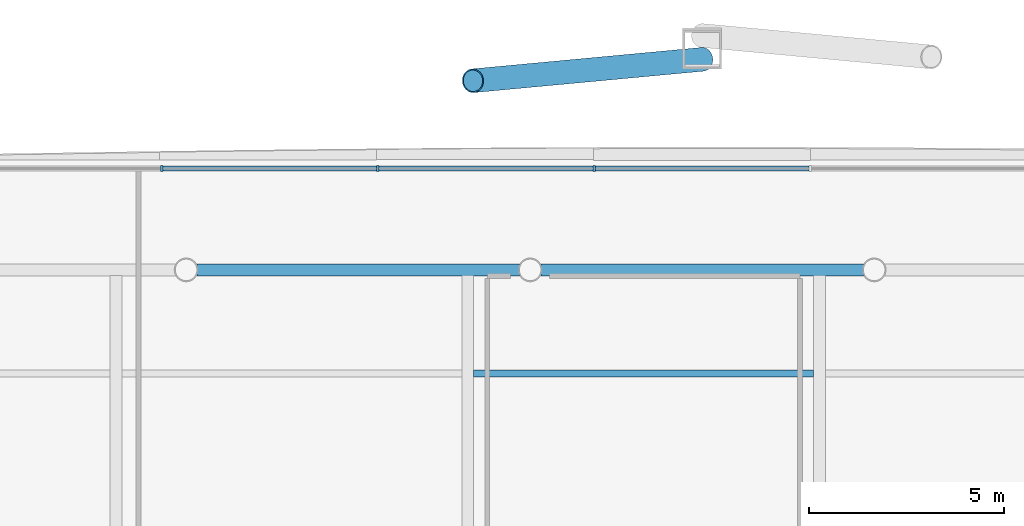
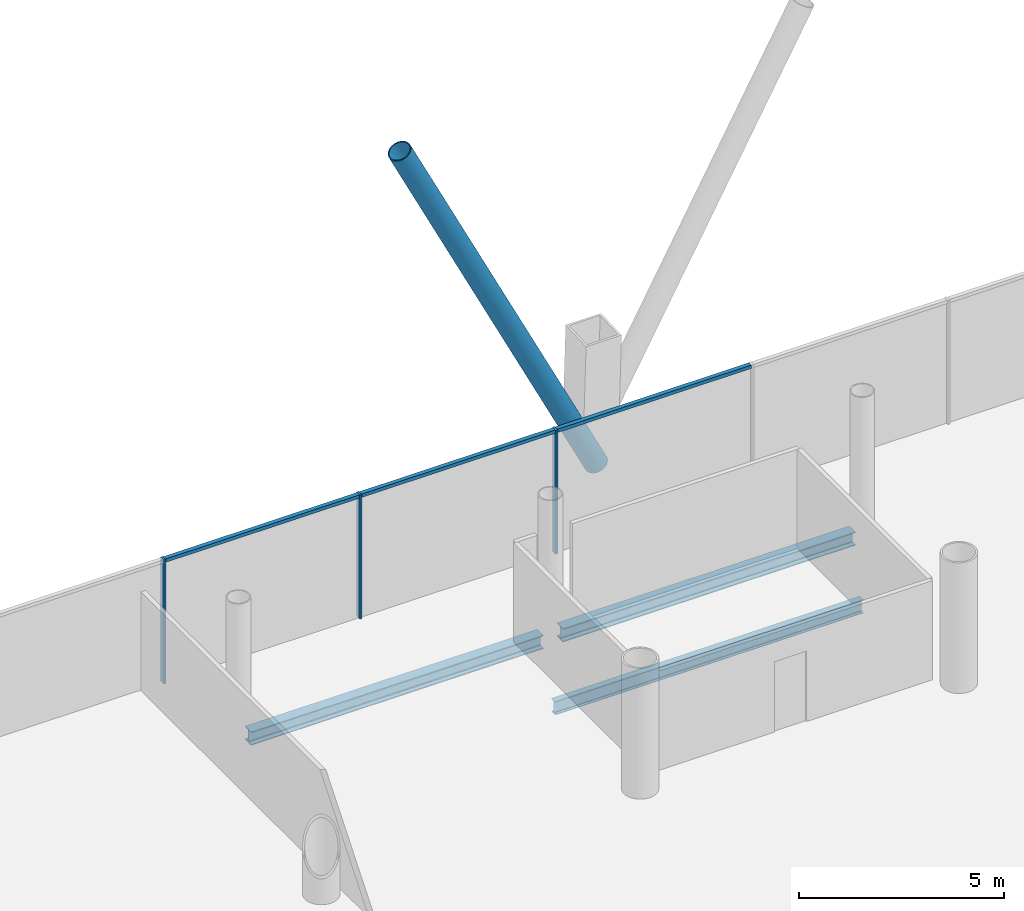
# One storey, part 12 of 25: 7 members, 3 beams, 1 element without a shape of its own.
"""IFC4 building model written with IfcOpenShell, lengths in metres."""

import ifcopenshell
import ifcopenshell.guid

model = None  # the IFC model being written
_history = None  # IfcOwnerHistory: only IFC2X3 demands one
_inside = {}  # id of a spatial element -> (the spatial element, [elements in it])
_under = {}  # id of a project, library or spatial element -> (it, [spatial elements below it])
_declared = {}  # id of a project -> (the project, [libraries it declares])
_typed = {}  # id of a type object -> (the type object, [elements of that type])
_made_of = {}  # id of a material, layer set ... -> (it, [elements and type objects made of it])


def new_model(schema):
    """Start an empty IFC model of exactly this schema.

    Asked for "IFC4X3", IfcOpenShell would pick the latest addendum, in which some entities
    have other attributes; the version numbers below select the first issue.
    IFC2X3 requires an IfcOwnerHistory on every rooted entity: one is made here for all.
    """
    global model, _history
    if schema == "IFC4X3":
        model = ifcopenshell.file(schema_version=(4, 3, 0, 0))
    else:
        model = ifcopenshell.file(schema=schema)
    _inside.clear()
    _under.clear()
    _declared.clear()
    _typed.clear()
    _made_of.clear()
    _history = None
    if model.schema == "IFC2X3":
        org = make("IfcOrganization", Name="unknown")
        user = make(
            "IfcPersonAndOrganization",
            ThePerson=make("IfcPerson", FamilyName="unknown"),
            TheOrganization=org,
        )
        app = make(
            "IfcApplication",
            ApplicationDeveloper=org,
            Version="unknown",
            ApplicationFullName="unknown",
            ApplicationIdentifier="unknown",
        )
        _history = make(
            "IfcOwnerHistory",
            OwningUser=user,
            OwningApplication=app,
            ChangeAction="ADDED",
            CreationDate=0,
        )
    return model


def make(cls, **values):
    """One entity of the class cls with the attributes given. An attribute that is None is left unset."""
    return model.create_entity(
        cls, **{name: value for name, value in values.items() if value is not None}
    )


def rooted(cls, **values):
    """An entity with a GlobalId (a new one), such as an element, a storey or a relation."""
    return make(cls, GlobalId=ifcopenshell.guid.new(), OwnerHistory=_history, **values)


def si_unit(unit_type, name, prefix=None):
    """IfcSIUnit, for example si_unit("LENGTHUNIT", "METRE", prefix="MILLI")."""
    return make("IfcSIUnit", UnitType=unit_type, Prefix=prefix, Name=name)


def assignment(units):
    """IfcUnitAssignment: the units of a project."""
    return None if units is None else make("IfcUnitAssignment", Units=units)


def point(xyz):
    """IfcCartesianPoint."""
    return None if xyz is None else make("IfcCartesianPoint", Coordinates=xyz)


def direction(xyz):
    """IfcDirection."""
    return None if xyz is None else make("IfcDirection", DirectionRatios=xyz)


def frame(location, z_axis=None, x_axis=None):
    """IfcAxis2Placement3D, a coordinate frame: its origin and axes. An axis left out is left unset."""
    return make(
        "IfcAxis2Placement3D",
        Location=point(location),
        Axis=direction(z_axis),
        RefDirection=direction(x_axis),
    )


def frame_2d(location, x_axis=None):
    """IfcAxis2Placement2D, a coordinate frame in the plane: its origin and x axis."""
    return make(
        "IfcAxis2Placement2D", Location=point(location), RefDirection=direction(x_axis)
    )


def origin():
    """The frame at (0, 0, 0) with its axes left unset."""
    return frame((0.0, 0.0, 0.0))


def origin_2d():
    """The frame at (0, 0) in the plane with its x axis left unset."""
    return frame_2d((0.0, 0.0))


def place(relative_to, where):
    """IfcLocalPlacement: puts the frame where relative to a parent placement (None: the world)."""
    return make(
        "IfcLocalPlacement", PlacementRelTo=relative_to, RelativePlacement=where
    )


def context(
    kind, dimensions, precision=None, world=None, true_north=None, identifier=None
):
    """IfcGeometricRepresentationContext, for example the 3D "Model" context."""
    return make(
        "IfcGeometricRepresentationContext",
        ContextIdentifier=identifier,
        ContextType=kind,
        CoordinateSpaceDimension=dimensions,
        Precision=precision,
        WorldCoordinateSystem=world,
        TrueNorth=true_north,
    )


def subcontext(parent, identifier, kind, view, scale=None):
    """IfcGeometricRepresentationSubContext, for example "Body" below "Model"."""
    return make(
        "IfcGeometricRepresentationSubContext",
        ContextIdentifier=identifier,
        ContextType=kind,
        ParentContext=parent,
        TargetScale=scale,
        TargetView=view,
    )


def project(units=None, contexts=None):
    """IfcProject with its units and contexts."""
    return rooted(
        "IfcProject",
        Name="project",
        RepresentationContexts=contexts,
        UnitsInContext=assignment(units),
    )


def spatial(cls, under=None, at=None, **own):
    """A site, building, storey or space (cls), placed at a placement, below another one or the project."""
    s = rooted(cls, ObjectPlacement=at, **own)
    if under is not None:
        _under.setdefault(under.id(), (under, []))[1].append(s)
    return s


def profile(cls, at=None, kind="AREA", **sizes):
    """A parametric profile (cls). Its sizes go by their IFC names, for example OverallWidth=200.0."""
    return make(cls, ProfileType=kind, Position=at, **sizes)


def rectangle(**sizes):
    """IfcRectangleProfileDef."""
    return profile("IfcRectangleProfileDef", **sizes)


def hollow_circle(**sizes):
    """IfcCircleHollowProfileDef."""
    return profile("IfcCircleHollowProfileDef", **sizes)


def i_section(**sizes):
    """IfcIShapeProfileDef."""
    return profile("IfcIShapeProfileDef", **sizes)


def extrude(swept, where, along, depth):
    """IfcExtrudedAreaSolid: the profile swept, set in the frame where, extruded along a direction by depth."""
    return make(
        "IfcExtrudedAreaSolid",
        SweptArea=swept,
        Position=where,
        ExtrudedDirection=direction(along),
        Depth=depth,
    )


def shape(context_of_items, identifier, shape_type, items):
    """IfcShapeRepresentation: the items that make up one representation, for example the "Body"."""
    return make(
        "IfcShapeRepresentation",
        ContextOfItems=context_of_items,
        RepresentationIdentifier=identifier,
        RepresentationType=shape_type,
        Items=items,
    )


def material(Name=None, Category=None):
    """IfcMaterial."""
    return make("IfcMaterial", Name=Name, Category=Category)


def material_profile(
    of_material, cross_section, Name=None, Category=None, Priority=None
):
    """IfcMaterialProfile: a cross section and its material."""
    return make(
        "IfcMaterialProfile",
        Name=Name,
        Material=of_material,
        Profile=cross_section,
        Priority=Priority,
        Category=Category,
    )


def profile_set(profiles, Name=None, composite=None):
    """IfcMaterialProfileSet."""
    return make(
        "IfcMaterialProfileSet",
        Name=Name,
        MaterialProfiles=profiles,
        CompositeProfile=composite,
    )


def made_of(thing, what):
    """Note that an element or type object is made of a material, layer set ...; save() writes the relation."""
    if what is not None:
        _made_of.setdefault(what.id(), (what, []))[1].append(thing)
    return thing


def type_object(cls, material=None, **own):
    """A type object (cls), such as IfcWallType, which elements share."""
    return made_of(rooted(cls, **own), material)


def element(
    cls,
    number,
    at=None,
    inside=None,
    cuts=None,
    type_object=None,
    material=None,
    context=None,
    identifier="Body",
    shape_type=None,
    held_by="IfcProductDefinitionShape",
    body=None,
    shapes=None,
    **own,
):
    """One element of the class cls, such as IfcWall. Its Tag is "e" and its number.

    at: its placement. inside: the storey or other place that contains it. cuts: it is an
    opening in that element (IfcRelVoidsElement). A single representation is given by context,
    identifier, shape_type and body (its items); several are given by shapes. held_by: the class
    of the entity that holds the representations. save() writes the other relations.
    """
    e = rooted(cls, Tag="e%d" % number, ObjectPlacement=at, **own)
    if body is not None:
        shapes = [shape(context, identifier, shape_type, body)]
    if shapes is not None:
        e.Representation = make(held_by, Representations=shapes)
    if inside is not None:
        _inside.setdefault(inside.id(), (inside, []))[1].append(e)
    if cuts is not None:
        rooted(
            "IfcRelVoidsElement", RelatingBuildingElement=cuts, RelatedOpeningElement=e
        )
    if type_object is not None:
        _typed.setdefault(type_object.id(), (type_object, []))[1].append(e)
    return made_of(e, material)


def aggregate(whole, parts):
    """IfcRelAggregates: a whole, such as a stair, and the parts it consists of."""
    return rooted("IfcRelAggregates", RelatingObject=whole, RelatedObjects=parts)


def save(model, path):
    """Write the relations noted so far, then the file.

    IfcRelAggregates (storeys below a building ...), IfcRelContainedInSpatialStructure (elements
    in a storey), IfcRelDefinesByType, IfcRelAssociatesMaterial and IfcRelDeclares: one each for
    every whole, place, type object, material and project.
    """
    for whole, parts in _under.values():
        aggregate(whole, parts)
    for where, things in _inside.values():
        rooted(
            "IfcRelContainedInSpatialStructure",
            RelatedElements=things,
            RelatingStructure=where,
        )
    for kind, things in _typed.values():
        rooted("IfcRelDefinesByType", RelatedObjects=things, RelatingType=kind)
    for what, things in _made_of.values():
        rooted("IfcRelAssociatesMaterial", RelatedObjects=things, RelatingMaterial=what)
    for by, libraries in _declared.values():
        rooted("IfcRelDeclares", RelatingContext=by, RelatedDefinitions=libraries)
    model.write(path)


model = new_model("IFC4")

# Units and contexts
model_context = context("Model", 3, precision=1e-05, world=origin(), true_north=direction((0.0, 1.0)))
body_context = subcontext(model_context, "Body", "Model", "MODEL_VIEW")
ifc_project = project(units=[si_unit("LENGTHUNIT", "METRE"), si_unit("AREAUNIT", "SQUARE_METRE"), si_unit("VOLUMEUNIT", "CUBIC_METRE"), si_unit("PLANEANGLEUNIT", "RADIAN"), si_unit("MASSUNIT", "GRAM", prefix="KILO")], contexts=[model_context])

# Site, building, storey
site_placement = place(None, origin())
site = spatial("IfcSite", under=ifc_project, at=site_placement, CompositionType="ELEMENT")
building_placement = place(site_placement, origin())
building = spatial("IfcBuilding", under=site, at=building_placement, Name="Tskaro Facet Tower", CompositionType="ELEMENT")
storey_placement = place(building_placement, frame((0.0, 0.0, 10.800048828125)))
storey = spatial("IfcBuildingStorey", under=building, at=storey_placement, Name="L01", CompositionType="ELEMENT", Elevation=10.800048828125)

# Member
ifc_material_1 = material(Name="Steel S355J2H", Category="steel")
ifc_material_profile_1 = material_profile(ifc_material_1, hollow_circle(Radius=0.304931640625, WallThickness=0.030029296875, at=origin_2d()), Name="CHS 610x30")
ifc_profile_set_1 = profile_set([ifc_material_profile_1], Name="Steel S355J2H")
member_type_1 = type_object("IfcMemberType", Name="CHS 610x30 brace", PredefinedType="BRACE", material=ifc_profile_set_1)
member_1_placement = place(storey_placement, frame((-3.0, 30.544921875, 0.0), z_axis=(-0.44778409282, -0.041803867485, 0.893163950728), x_axis=(0.092953006112, -0.995670497029, 0.0)))
element("IfcMember", 1, at=member_1_placement, inside=storey, type_object=member_type_1, Name="CHS 610x30 XB08A/1", PredefinedType="BRACE", context=body_context, shape_type="SweptSolid", body=[
    extrude(hollow_circle(Radius=0.304931640625, WallThickness=0.030029296875, at=origin_2d()), origin(), (0.0, 0.0, 1.0), 13.099365234375),
])

# Curtain wall, members
ifc_material_2 = material(Name="Bronze anodised aluminium 6063-T6", Category="aluminium")
curtain_wall_type = type_object("IfcCurtainWallType", Name="Bronze office curtain wall (FW1)", PredefinedType="NOTDEFINED", material=ifc_material_2)
curtain_wall_placement = place(storey_placement, origin())
curtain_wall = element("IfcCurtainWall", 2, at=curtain_wall_placement, inside=storey, type_object=curtain_wall_type, Name="FW1 north facet L01", PredefinedType="NOTDEFINED")
ifc_material_profile_2 = material_profile(ifc_material_2, rectangle(XDim=0.06005859375, YDim=0.159912109375, at=origin_2d()), Name="Mullion 60x160")
ifc_profile_set_2 = profile_set([ifc_material_profile_2], Name="Bronze anodised aluminium 6063-T6")
member_type_2 = type_object("IfcMemberType", Name="FW1 bronze mullion 60x160", PredefinedType="MULLION", material=ifc_profile_set_2)
member_2_placement = place(storey_placement, frame((-5.76611328125, 27.75, 0.0), z_axis=(0.0, 0.0, 1.0), x_axis=(-1.0, 0.0, 0.0)))
member_2 = element("IfcMember", 3, at=member_2_placement, type_object=member_type_2, Name="FW1 north mullion 5", PredefinedType="MULLION", context=body_context, shape_type="SweptSolid", body=[
    extrude(rectangle(XDim=0.06005859375, YDim=0.159912109375, at=origin_2d()), origin(), (0.0, 0.0, 1.0), 3.699951171875),
])
member_3_placement = place(storey_placement, frame((-11.298583984375, 27.75, 0.0), z_axis=(0.0, 0.0, 1.0), x_axis=(-1.0, 0.0, 0.0)))
member_3 = element("IfcMember", 4, at=member_3_placement, type_object=member_type_2, Name="FW1 north mullion 6", PredefinedType="MULLION", context=body_context, shape_type="SweptSolid", body=[
    extrude(rectangle(XDim=0.06005859375, YDim=0.159912109375, at=origin_2d()), origin(), (0.0, 0.0, 1.0), 3.699951171875),
])
member_4_placement = place(storey_placement, frame((-16.8310546875, 27.75, 0.0), z_axis=(0.0, 0.0, 1.0), x_axis=(-1.0, 0.0, 0.0)))
member_4 = element("IfcMember", 5, at=member_4_placement, type_object=member_type_2, Name="FW1 north mullion 7", PredefinedType="MULLION", context=body_context, shape_type="SweptSolid", body=[
    extrude(rectangle(XDim=0.06005859375, YDim=0.159912109375, at=origin_2d()), origin(), (0.0, 0.0, 1.0), 3.699951171875),
])
ifc_material_profile_3 = material_profile(ifc_material_2, rectangle(XDim=0.1201171875, YDim=0.10009765625, at=origin_2d()), Name="Transom 120x100")
ifc_profile_set_3 = profile_set([ifc_material_profile_3], Name="Bronze anodised aluminium 6063-T6")
member_type_3 = type_object("IfcMemberType", Name="FW1 bronze transom 120x100", PredefinedType="USERDEFINED", material=ifc_profile_set_3)
member_5_placement = place(storey_placement, frame((-0.263671875, 27.75, 3.64990234375), z_axis=(-1.0, 0.0, 0.0), x_axis=(0.0, -1.0, 0.0)))
member_5 = element("IfcMember", 6, at=member_5_placement, type_object=member_type_3, Name="FW1 north transom 5.1", ObjectType="TRANSOM", PredefinedType="USERDEFINED", context=body_context, shape_type="SweptSolid", body=[
    extrude(rectangle(XDim=0.1201171875, YDim=0.10009765625, at=origin_2d()), origin(), (0.0, 0.0, 1.0), 5.47265625),
])
member_6_placement = place(storey_placement, frame((-5.796142578125, 27.75, 3.64990234375), z_axis=(-1.0, 0.0, 0.0), x_axis=(0.0, -1.0, 0.0)))
member_6 = element("IfcMember", 7, at=member_6_placement, type_object=member_type_3, Name="FW1 north transom 6.1", ObjectType="TRANSOM", PredefinedType="USERDEFINED", context=body_context, shape_type="SweptSolid", body=[
    extrude(rectangle(XDim=0.1201171875, YDim=0.10009765625, at=origin_2d()), origin(), (0.0, 0.0, 1.0), 5.472412109375),
])
member_7_placement = place(storey_placement, frame((-11.32861328125, 27.75, 3.64990234375), z_axis=(-1.0, 0.0, 0.0), x_axis=(0.0, -1.0, 0.0)))
member_7 = element("IfcMember", 8, at=member_7_placement, type_object=member_type_3, Name="FW1 north transom 7.1", ObjectType="TRANSOM", PredefinedType="USERDEFINED", context=body_context, shape_type="SweptSolid", body=[
    extrude(rectangle(XDim=0.1201171875, YDim=0.10009765625, at=origin_2d()), origin(), (0.0, 0.0, 1.0), 5.472412109375),
])
aggregate(curtain_wall, [member_2, member_3, member_4, member_5, member_6, member_7])

# Beams
ifc_material_3 = material(Name="Steel S355J2", Category="steel")
ifc_material_profile_4 = material_profile(ifc_material_3, i_section(OverallWidth=0.300048828125, OverallDepth=0.39990234375, WebThickness=0.013427734375, FlangeThickness=0.02392578125, FilletRadius=0.027099609375, at=origin_2d()), Name="HE 400 B")
ifc_profile_set_4 = profile_set([ifc_material_profile_4], Name="Steel S355J2")
beam_type_1 = type_object("IfcBeamType", Name="HE 400 B ring beam", PredefinedType="BEAM", material=ifc_profile_set_4)
beam_1_placement = place(storey_placement, frame((1.126953125, 25.156982421875, -0.340087890625), z_axis=(-1.0, 0.0, 0.0), x_axis=(0.0, -1.0, 0.0)))
element("IfcBeam", 9, at=beam_1_placement, inside=storey, type_object=beam_type_1, Name="HE 400 B EB16-1", PredefinedType="BEAM", context=body_context, shape_type="SweptSolid", body=[
    extrude(i_section(OverallWidth=0.300048828125, OverallDepth=0.39990234375, WebThickness=0.013427734375, FlangeThickness=0.02392578125, FilletRadius=0.027099609375, at=origin_2d()), origin(), (0.0, 0.0, 1.0), 8.25390625),
])
beam_2_placement = place(storey_placement, frame((-7.677001953125, 25.156982421875, -0.340087890625), z_axis=(-1.0, 0.0, 0.0), x_axis=(0.0, -1.0, 0.0)))
element("IfcBeam", 10, at=beam_2_placement, inside=storey, type_object=beam_type_1, Name="HE 400 B EB17-1", PredefinedType="BEAM", context=body_context, shape_type="SweptSolid", body=[
    extrude(i_section(OverallWidth=0.300048828125, OverallDepth=0.39990234375, WebThickness=0.013427734375, FlangeThickness=0.02392578125, FilletRadius=0.027099609375, at=origin_2d()), origin(), (0.0, 0.0, 1.0), 8.2548828125),
])
ifc_material_profile_5 = material_profile(ifc_material_3, i_section(OverallWidth=0.179931640625, OverallDepth=0.39990234375, WebThickness=0.008544921875, FlangeThickness=0.013427734375, FilletRadius=0.02099609375, at=origin_2d()), Name="IPE 400")
ifc_profile_set_5 = profile_set([ifc_material_profile_5], Name="Steel S355J2")
beam_type_2 = type_object("IfcBeamType", Name="IPE 400 secondary beam", PredefinedType="BEAM", material=ifc_profile_set_5)
beam_3_placement = place(storey_placement, frame((-8.85009765625, 22.5, -0.340087890625), z_axis=(1.0, 0.0, 0.0), x_axis=(0.0, 1.0, 0.0)))
element("IfcBeam", 11, at=beam_3_placement, inside=storey, type_object=beam_type_2, Name="IPE 400 SB6a-3-1", PredefinedType="BEAM", context=body_context, shape_type="SweptSolid", body=[
    extrude(i_section(OverallWidth=0.179931640625, OverallDepth=0.39990234375, WebThickness=0.008544921875, FlangeThickness=0.013427734375, FilletRadius=0.02099609375, at=origin_2d()), origin(), (0.0, 0.0, 1.0), 8.7001953125),
])

save(model, "model.ifc")
